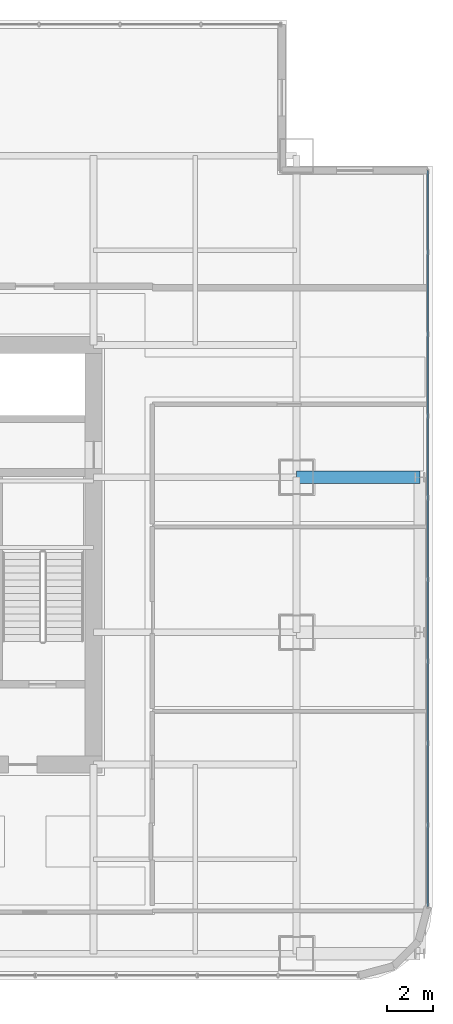
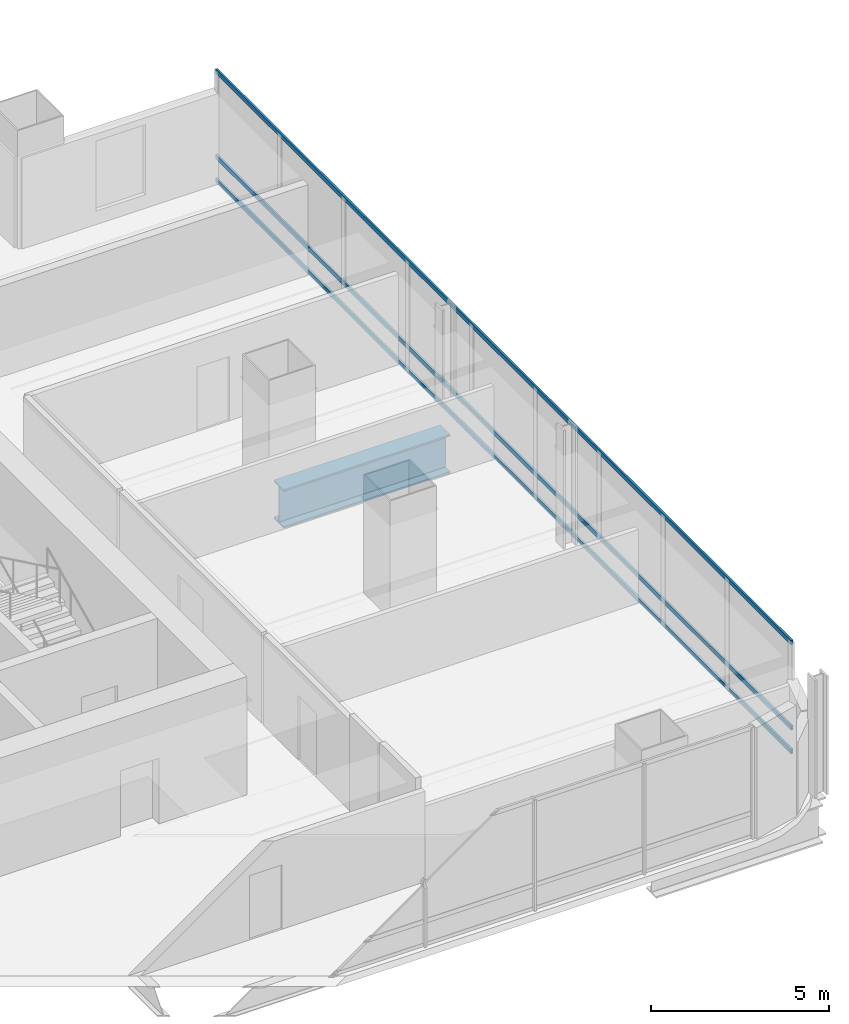
# One storey, part 17 of 35: 3 members, 1 beam, 1 element without a shape of its own.
"""IFC4 building model written with IfcOpenShell, lengths in metres."""

from ifc_helpers import new_model, si_unit, direction, frame, origin, origin_2d, place, context, subcontext, project, spatial, hollow_rectangle, i_section, extrude, material, material_profile, profile_set, type_object, element, aggregate, save


model = new_model("IFC4")

# Units and contexts
model_context = context("Model", 3, precision=1e-05, world=origin(), true_north=direction((0.0, 1.0)))
body_context = subcontext(model_context, "Body", "Model", "MODEL_VIEW")
ifc_project = project(units=[si_unit("LENGTHUNIT", "METRE"), si_unit("AREAUNIT", "SQUARE_METRE"), si_unit("VOLUMEUNIT", "CUBIC_METRE"), si_unit("PLANEANGLEUNIT", "RADIAN"), si_unit("MASSUNIT", "GRAM", prefix="KILO")], contexts=[model_context])

# Site, building, storey
site_placement = place(None, origin())
site = spatial("IfcSite", under=ifc_project, at=site_placement, CompositionType="ELEMENT")
building_placement = place(site_placement, origin())
building = spatial("IfcBuilding", under=site, at=building_placement, Name="Punatoya Terracotta Tower", CompositionType="ELEMENT")
storey_placement = place(building_placement, frame((0.0, 0.0, 113.25)))
storey = spatial("IfcBuildingStorey", under=building, at=storey_placement, Name="L26", CompositionType="ELEMENT", Elevation=113.25)

# Beam
ifc_material_1 = material(Name="Steel S460", Category="steel")
ifc_material_profile_1 = material_profile(ifc_material_1, i_section(OverallWidth=0.56005859375, OverallDepth=1.320068359375, WebThickness=0.035888671875, FlangeThickness=0.054931640625, FilletRadius=0.01806640625, at=origin_2d()))
ifc_profile_set_1 = profile_set([ifc_material_profile_1], Name="Steel S460")
beam_type = type_object("IfcBeamType", Name="BM-TG-BLK", PredefinedType="BEAM", material=ifc_profile_set_1)
beam_placement = place(storey_placement, frame((19.10009765625, 3.39990234375, -0.89990234375), z_axis=(1.0, 0.0, 0.0), x_axis=(0.0, 1.0, 0.0)))
element("IfcBeam", 1, at=beam_placement, inside=storey, type_object=beam_type, Name="BM-L26-CANT-E3", PredefinedType="BEAM", context=body_context, shape_type="SweptSolid", body=[
    extrude(i_section(OverallWidth=0.56005859375, OverallDepth=1.320068359375, WebThickness=0.035888671875, FlangeThickness=0.054931640625, FilletRadius=0.01806640625, at=origin_2d()), origin(), (0.0, 0.0, 1.0), 5.39990234375),
])

# Curtain wall, members
ifc_material_2 = material(Name="Aluminium 6063-T6 + Double Low-E Glass", Category="aluminium")
curtain_wall_type = type_object("IfcCurtainWallType", Name="CW-M1", PredefinedType="NOTDEFINED", material=ifc_material_2)
curtain_wall_placement = place(storey_placement, origin())
curtain_wall = element("IfcCurtainWall", 2, at=curtain_wall_placement, inside=storey, type_object=curtain_wall_type, Name="L26 Curtain Wall CW-L26-E05-1", PredefinedType="NOTDEFINED")
ifc_material_3 = material(Name="Aluminium 6063-T6", Category="aluminium")
ifc_material_profile_2 = material_profile(ifc_material_3, hollow_rectangle(XDim=0.068115234375, YDim=0.14990234375, WallThickness=0.00390625, at=origin_2d()))
ifc_profile_set_2 = profile_set([ifc_material_profile_2], Name="Aluminium 6063-T6")
member_type = type_object("IfcMemberType", Name="CW-TRN-TYP", PredefinedType="USERDEFINED", material=ifc_profile_set_2)
member_1_placement = place(storey_placement, frame((24.85009765625, -15.43701171875, 0.0400390625), z_axis=(0.0, 1.0, 0.0), x_axis=(-1.0, 0.0, 0.0)))
member_1 = element("IfcMember", 3, at=member_1_placement, type_object=member_type, Name="CW-L26-E05-1 Transom 1", ObjectType="TRANSOM", PredefinedType="USERDEFINED", context=body_context, shape_type="SweptSolid", body=[
    extrude(hollow_rectangle(XDim=0.068115234375, YDim=0.14990234375, WallThickness=0.00390625, at=origin_2d()), origin(), (0.0, 0.0, 1.0), 32.287109375),
])
member_2_placement = place(storey_placement, frame((24.85009765625, -15.43701171875, 0.85009765625), z_axis=(0.0, 1.0, 0.0), x_axis=(-1.0, 0.0, 0.0)))
member_2 = element("IfcMember", 4, at=member_2_placement, type_object=member_type, Name="CW-L26-E05-1 Transom 2", ObjectType="TRANSOM", PredefinedType="USERDEFINED", context=body_context, shape_type="SweptSolid", body=[
    extrude(hollow_rectangle(XDim=0.068115234375, YDim=0.14990234375, WallThickness=0.00390625, at=origin_2d()), origin(), (0.0, 0.0, 1.0), 32.287109375),
])
member_3_placement = place(storey_placement, frame((24.85009765625, -15.43701171875, 3.77001953125), z_axis=(0.0, 1.0, 0.0), x_axis=(-1.0, 0.0, 0.0)))
member_3 = element("IfcMember", 5, at=member_3_placement, type_object=member_type, Name="CW-L26-E05-1 Transom 3", ObjectType="TRANSOM", PredefinedType="USERDEFINED", context=body_context, shape_type="SweptSolid", body=[
    extrude(hollow_rectangle(XDim=0.068115234375, YDim=0.14990234375, WallThickness=0.00390625, at=origin_2d()), origin(), (0.0, 0.0, 1.0), 32.287109375),
])
aggregate(curtain_wall, [member_1, member_2, member_3])

save(model, "model.ifc")
